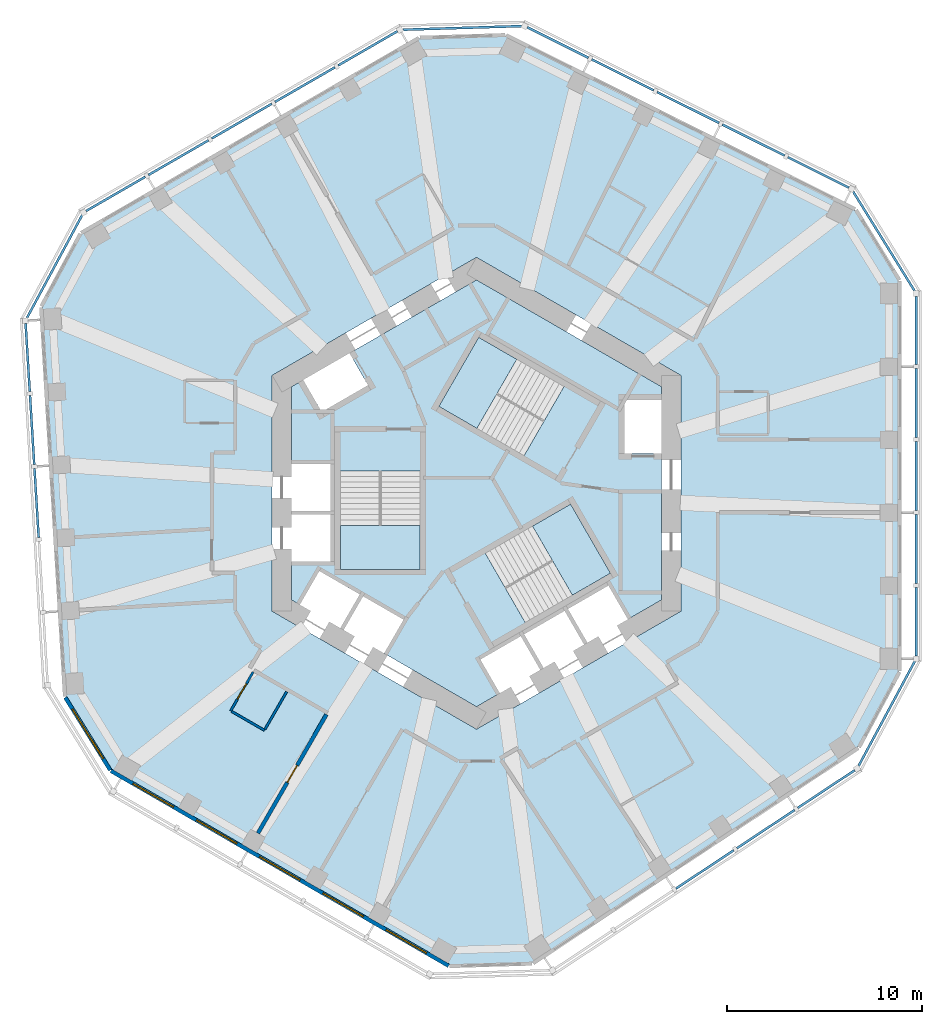
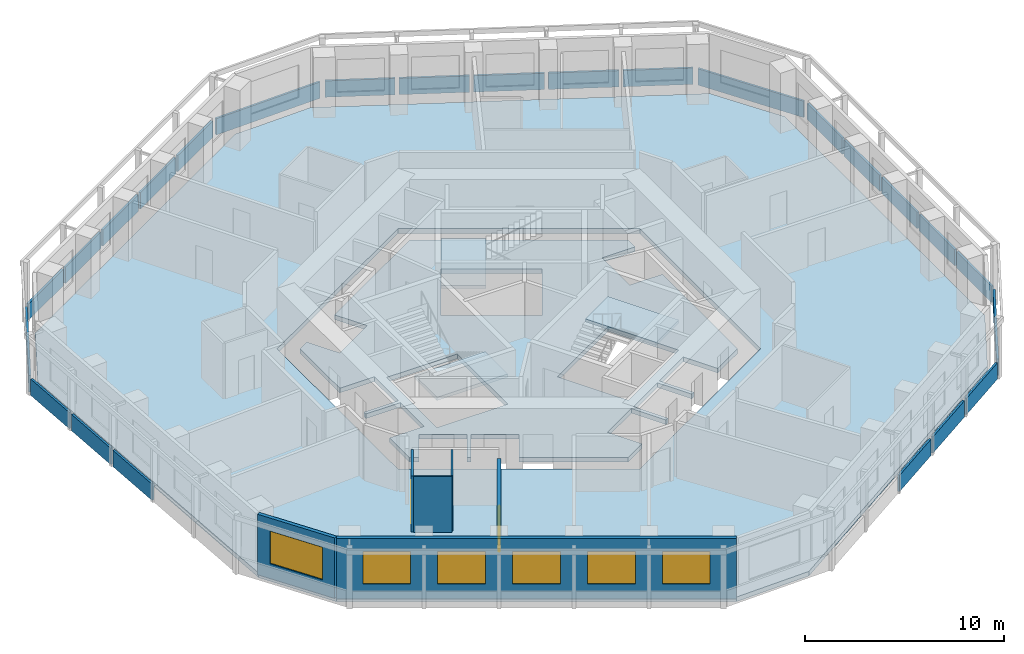
# One storey, part 3 of 11: 25 plates, 6 walls, 6 windows, 5 slabs, 2 doors, 8 openings, 12 elements without a shape of their own.
"""IFC4 building model written with IfcOpenShell, lengths in metres."""

from ifc_helpers import new_model, si_unit, direction, frame, frame_2d, origin, origin_2d, place, context, subcontext, project, spatial, polyline, rectangle, outline, extrude, material, layer, layer_set, type_object, element, fill, aggregate, save


model = new_model("IFC4")

# Units and contexts
model_context = context("Model", 3, precision=1e-05, world=origin(), true_north=direction((0.0, 1.0)))
body_context = subcontext(model_context, "Body", "Model", "MODEL_VIEW")
ifc_project = project(units=[si_unit("LENGTHUNIT", "METRE"), si_unit("AREAUNIT", "SQUARE_METRE"), si_unit("VOLUMEUNIT", "CUBIC_METRE"), si_unit("PLANEANGLEUNIT", "RADIAN"), si_unit("MASSUNIT", "GRAM", prefix="KILO")], contexts=[model_context])

# Site, building, storey
site_placement = place(None, origin())
site = spatial("IfcSite", under=ifc_project, at=site_placement, CompositionType="ELEMENT")
building_placement = place(site_placement, origin())
building = spatial("IfcBuilding", under=site, at=building_placement, Name="Vanh Sen Convention Tower", CompositionType="ELEMENT")
storey_placement = place(building_placement, frame((0.0, 0.0, 187.300048828125)))
storey = spatial("IfcBuildingStorey", under=building, at=storey_placement, Name="L46", CompositionType="ELEMENT", Elevation=187.300048828125)

# Slabs
ifc_material_1 = material(Name="Concrete C40/50", Category="concrete")
ifc_layer_1 = layer(ifc_material_1, 0.280029296875)
ifc_layer_set_1 = layer_set([ifc_layer_1], Name="Concrete C40/50")
slab_type_1 = type_object("IfcSlabType", Name="Core slab 280", PredefinedType="FLOOR", material=ifc_layer_set_1)
slab_1_placement = place(storey_placement, frame((0.0, 0.0, -0.280029296875)))
element("IfcSlab", 1, at=slab_1_placement, inside=storey, type_object=slab_type_1, Name="Core slab L46", PredefinedType="FLOOR", context=body_context, shape_type="SweptSolid", body=[
    extrude(outline(polyline([(0.0, 10.9697265625), (9.5, 5.48486328125), (9.5, 4.800048828125), (7.60009765625, 4.800048828125), (7.60009765625, 2.050048828125), (9.5, 2.050048828125), (9.5, -5.48486328125), (7.781005859375, -6.477294921875), (6.781005859375, -4.7451171875), (4.70263671875, -5.9453125), (5.70263671875, -7.67724609375), (5.529296875, -7.777099609375), (4.529296875, -6.045166015625), (2.450927734375, -7.2451171875), (3.450927734375, -8.977294921875), (3.27783203125, -9.0771484375), (2.27783203125, -7.34521484375), (0.19921875, -8.545166015625), (1.19921875, -10.277099609375), (0.0, -10.9697265625), (-4.75, -8.227294921875), (-3.75, -6.4951171875), (-5.82861328125, -5.295166015625), (-6.82861328125, -7.027099609375), (-7.001708984375, -6.92724609375), (-6.001708984375, -5.1953125), (-8.080078125, -3.9951171875), (-9.080078125, -5.727294921875), (-9.5, -5.48486328125), (-9.5, -3.5), (-7.5, -3.5), (-7.5, -1.10009765625), (-9.5, -1.10009765625), (-9.5, -0.89990234375), (-7.5, -0.89990234375), (-7.5, 1.5), (-9.5, 1.5), (-9.5, 5.48486328125), (-8.906982421875, 5.8271484375), (-7.956787109375, 4.181884765625), (-5.575439453125, 5.556884765625), (-6.525390625, 7.2021484375), (0.0, 10.9697265625)]), holes=[polyline([(-7.0, 1.1494140625), (-7.0, -3.909912109375), (-2.89990234375, -3.909912109375), (-2.89990234375, 1.1494140625), (-7.0, 1.1494140625)]), polyline([(2.504638671875, -6.63671875), (6.88623046875, -4.107177734375), (4.836181640625, -0.556396484375), (0.45458984375, -3.086181640625), (2.504638671875, -6.63671875)]), polyline([(0.11376953125, 8.01708984375), (-1.936279296875, 4.466552734375), (2.4453125, 1.936767578125), (4.495361328125, 5.487548828125), (0.11376953125, 8.01708984375)])]), origin(), (0.0, 0.0, 1.0), 0.280029296875),
])
ifc_layer_2 = layer(ifc_material_1, 0.280029296875)
ifc_layer_set_2 = layer_set([ifc_layer_2], Name="Concrete C40/50")
slab_type_2 = type_object("IfcSlabType", Name="Floor slab 280 REI 120", PredefinedType="FLOOR", material=ifc_layer_set_2)
slab_2_placement = place(storey_placement, frame((0.0, 0.0, -0.280029296875)))
element("IfcSlab", 2, at=slab_2_placement, inside=storey, type_object=slab_type_2, Name="Floor slab L46 tower", PredefinedType="FLOOR", context=body_context, shape_type="SweptSolid", body=[
    extrude(outline(polyline([(21.699951171875, -9.15087890625), (21.699951171875, 10.91943359375), (19.454833984375, 14.5478515625), (1.492919921875, 23.503173828125), (-2.925048828125, 23.368408203125), (-20.306640625, 13.3330078125), (-22.326171875, 9.574462890625), (-21.100830078125, -10.458740234375), (-18.77490234375, -14.21728515625), (-1.393310546875, -24.25244140625), (2.871337890625, -24.122314453125), (19.60791015625, -13.04443359375), (21.699951171875, -9.15087890625)]), holes=[polyline([(0.0, 12.12451171875), (-10.5, 6.062255859375), (-10.5, -6.062255859375), (0.0, -12.12451171875), (10.5, -6.062255859375), (10.5, 6.062255859375), (0.0, 12.12451171875)])]), origin(), (0.0, 0.0, 1.0), 0.280029296875),
])

# Curtain wall, plates
ifc_material_2 = material(Name="Concrete C50/60", Category="concrete")
curtain_wall_type = type_object("IfcCurtainWallType", Name="Outer skin office zone", PredefinedType="NOTDEFINED", material=ifc_material_2)
curtain_wall_1_placement = place(storey_placement, origin())
curtain_wall_1 = element("IfcCurtainWall", 3, at=curtain_wall_1_placement, inside=storey, type_object=curtain_wall_type, Name="OUTER SKIN E L46", PredefinedType="NOTDEFINED")
ifc_layer_3 = layer(ifc_material_2, 0.1201171875)
ifc_layer_set_3 = layer_set([ifc_layer_3], Name="Concrete C50/60")
plate_type = type_object("IfcPlateType", Name="Outer skin precast screen panel 120", PredefinedType="CURTAIN_PANEL", material=ifc_layer_set_3)
plate_1_placement = place(storey_placement, frame((22.60009765625, -6.59912109375, 0.0), z_axis=(0.0, 0.0, 1.0), x_axis=(0.0, 1.0, 0.0)))
plate_1 = element("IfcPlate", 4, at=plate_1_placement, type_object=plate_type, Name="OUTER SKIN screen panel E-1", PredefinedType="CURTAIN_PANEL", context=body_context, shape_type="SweptSolid", body=[
    extrude(rectangle(XDim=3.504150390625, YDim=0.1201171875, at=origin_2d()), origin(), (0.0, 0.0, 1.0), 1.0),
])
plate_2_placement = place(storey_placement, frame((22.60009765625, -2.869873046875, 0.0), z_axis=(0.0, 0.0, 1.0), x_axis=(0.0, 1.0, 0.0)))
plate_2 = element("IfcPlate", 5, at=plate_2_placement, type_object=plate_type, Name="OUTER SKIN screen panel E-2", PredefinedType="CURTAIN_PANEL", context=body_context, shape_type="SweptSolid", body=[
    extrude(rectangle(XDim=3.55419921875, YDim=0.1201171875, at=origin_2d()), origin(), (0.0, 0.0, 1.0), 1.0),
])
plate_3_placement = place(storey_placement, frame((22.60009765625, 0.88427734375, 0.0), z_axis=(0.0, 0.0, 1.0), x_axis=(0.0, 1.0, 0.0)))
plate_3 = element("IfcPlate", 6, at=plate_3_placement, type_object=plate_type, Name="OUTER SKIN screen panel E-3", PredefinedType="CURTAIN_PANEL", context=body_context, shape_type="SweptSolid", body=[
    extrude(rectangle(XDim=3.55419921875, YDim=0.1201171875, at=origin_2d()), origin(), (0.0, 0.0, 1.0), 1.0),
])
plate_4_placement = place(storey_placement, frame((22.60009765625, 4.63818359375, 0.0), z_axis=(0.0, 0.0, 1.0), x_axis=(0.0, 1.0, 0.0)))
plate_4 = element("IfcPlate", 7, at=plate_4_placement, type_object=plate_type, Name="OUTER SKIN screen panel E-4", PredefinedType="CURTAIN_PANEL", context=body_context, shape_type="SweptSolid", body=[
    extrude(rectangle(XDim=3.55419921875, YDim=0.1201171875, at=origin_2d()), origin(), (0.0, 0.0, 1.0), 1.0),
])
plate_5_placement = place(storey_placement, frame((22.60009765625, 8.367431640625, 0.0), z_axis=(0.0, 0.0, 1.0), x_axis=(0.0, 1.0, 0.0)))
plate_5 = element("IfcPlate", 8, at=plate_5_placement, type_object=plate_type, Name="OUTER SKIN screen panel E-5", PredefinedType="CURTAIN_PANEL", context=body_context, shape_type="SweptSolid", body=[
    extrude(rectangle(XDim=3.504150390625, YDim=0.1201171875, at=origin_2d()), origin(), (0.0, 0.0, 1.0), 1.0),
])
aggregate(curtain_wall_1, [plate_1, plate_2, plate_3, plate_4, plate_5])

# Curtain wall, plate
curtain_wall_2_placement = place(storey_placement, origin())
curtain_wall_2 = element("IfcCurtainWall", 9, at=curtain_wall_2_placement, inside=storey, type_object=curtain_wall_type, Name="OUTER SKIN CH1 L46", PredefinedType="NOTDEFINED")
plate_6_placement = place(storey_placement, frame((20.937255859375, 12.956298828125, 0.0), z_axis=(0.0, 0.0, 1.0), x_axis=(-0.5262035346, 0.850358653848, 0.0)))
plate_6 = element("IfcPlate", 10, at=plate_6_placement, type_object=plate_type, Name="OUTER SKIN screen panel CH1-1", PredefinedType="CURTAIN_PANEL", context=body_context, shape_type="SweptSolid", body=[
    extrude(rectangle(XDim=6.01953125, YDim=0.1201171875, at=origin_2d()), origin(), (0.0, 0.0, 1.0), 1.0),
])
aggregate(curtain_wall_2, [plate_6])

# Curtain wall, plates
curtain_wall_3_placement = place(storey_placement, origin())
curtain_wall_3 = element("IfcCurtainWall", 11, at=curtain_wall_3_placement, inside=storey, type_object=curtain_wall_type, Name="OUTER SKIN NE L46", PredefinedType="NOTDEFINED")
plate_7_placement = place(storey_placement, frame((17.572509765625, 16.491943359375, 0.0), z_axis=(0.0, 0.0, 1.0), x_axis=(-0.894943706551, 0.446179069551, 0.0)))
plate_7 = element("IfcPlate", 12, at=plate_7_placement, type_object=plate_type, Name="OUTER SKIN screen panel NE-1", PredefinedType="CURTAIN_PANEL", context=body_context, shape_type="SweptSolid", body=[
    extrude(rectangle(XDim=3.504150390625, YDim=0.1201171875, at=origin_2d()), origin(), (0.0, 0.0, 1.0), 1.0),
])
plate_8_placement = place(storey_placement, frame((14.235107421875, 18.156005859375, 0.0), z_axis=(0.0, 0.0, 1.0), x_axis=(-0.894932804072, 0.446200937017, 0.0)))
plate_8 = element("IfcPlate", 13, at=plate_8_placement, type_object=plate_type, Name="OUTER SKIN screen panel NE-2", PredefinedType="CURTAIN_PANEL", context=body_context, shape_type="SweptSolid", body=[
    extrude(rectangle(XDim=3.55419921875, YDim=0.1201171875, at=origin_2d()), origin(), (0.0, 0.0, 1.0), 1.0),
])
plate_9_placement = place(storey_placement, frame((10.87548828125, 19.8310546875, 0.0), z_axis=(0.0, 0.0, 1.0), x_axis=(-0.894932804072, 0.446200937017, 0.0)))
plate_9 = element("IfcPlate", 14, at=plate_9_placement, type_object=plate_type, Name="OUTER SKIN screen panel NE-3", PredefinedType="CURTAIN_PANEL", context=body_context, shape_type="SweptSolid", body=[
    extrude(rectangle(XDim=3.55419921875, YDim=0.1201171875, at=origin_2d()), origin(), (0.0, 0.0, 1.0), 1.0),
])
plate_10_placement = place(storey_placement, frame((7.515625, 21.506103515625, 0.0), z_axis=(0.0, 0.0, 1.0), x_axis=(-0.894932804072, 0.446200937017, 0.0)))
plate_10 = element("IfcPlate", 15, at=plate_10_placement, type_object=plate_type, Name="OUTER SKIN screen panel NE-4", PredefinedType="CURTAIN_PANEL", context=body_context, shape_type="SweptSolid", body=[
    extrude(rectangle(XDim=3.55419921875, YDim=0.1201171875, at=origin_2d()), origin(), (0.0, 0.0, 1.0), 1.0),
])
plate_11_placement = place(storey_placement, frame((4.178466796875, 23.169921875, 0.0), z_axis=(0.0, 0.0, 1.0), x_axis=(-0.894943706551, 0.446179069551, 0.0)))
plate_11 = element("IfcPlate", 16, at=plate_11_placement, type_object=plate_type, Name="OUTER SKIN screen panel NE-5", PredefinedType="CURTAIN_PANEL", context=body_context, shape_type="SweptSolid", body=[
    extrude(rectangle(XDim=3.504150390625, YDim=0.1201171875, at=origin_2d()), origin(), (0.0, 0.0, 1.0), 1.0),
])
aggregate(curtain_wall_3, [plate_7, plate_8, plate_9, plate_10, plate_11])

# Curtain wall, plate
curtain_wall_4_placement = place(storey_placement, origin())
curtain_wall_4 = element("IfcCurtainWall", 17, at=curtain_wall_4_placement, inside=storey, type_object=curtain_wall_type, Name="OUTER SKIN CH2 L46", PredefinedType="NOTDEFINED")
plate_12_placement = place(storey_placement, frame((-0.73095703125, 23.920654296875, 0.0), z_axis=(0.0, 0.0, 1.0), x_axis=(-0.999533590837, -0.03053851321, 0.0)))
plate_12 = element("IfcPlate", 18, at=plate_12_placement, type_object=plate_type, Name="OUTER SKIN screen panel CH2-1", PredefinedType="CURTAIN_PANEL", context=body_context, shape_type="SweptSolid", body=[
    extrude(rectangle(XDim=6.1171875, YDim=0.1201171875, at=origin_2d()), origin(), (0.0, 0.0, 1.0), 1.0),
])
aggregate(curtain_wall_4, [plate_12])

# Curtain wall, plates
curtain_wall_5_placement = place(storey_placement, origin())
curtain_wall_5 = element("IfcCurtainWall", 19, at=curtain_wall_5_placement, inside=storey, type_object=curtain_wall_type, Name="OUTER SKIN NW L46", PredefinedType="NOTDEFINED")
plate_13_placement = place(storey_placement, frame((-5.585205078125, 22.87158203125, 0.0), z_axis=(0.0, 0.0, 1.0), x_axis=(-0.866035002936, -0.499983373414, 0.0)))
plate_13 = element("IfcPlate", 20, at=plate_13_placement, type_object=plate_type, Name="OUTER SKIN screen panel NW-1", PredefinedType="CURTAIN_PANEL", context=body_context, shape_type="SweptSolid", body=[
    extrude(rectangle(XDim=3.504150390625, YDim=0.1201171875, at=origin_2d()), origin(), (0.0, 0.0, 1.0), 1.0),
])
plate_14_placement = place(storey_placement, frame((-8.814697265625, 21.007080078125, 0.0), z_axis=(0.0, 0.0, 1.0), x_axis=(-0.866016677006, -0.500015114919, 0.0)))
plate_14 = element("IfcPlate", 21, at=plate_14_placement, type_object=plate_type, Name="OUTER SKIN screen panel NW-2", PredefinedType="CURTAIN_PANEL", context=body_context, shape_type="SweptSolid", body=[
    extrude(rectangle(XDim=3.55419921875, YDim=0.1201171875, at=origin_2d()), origin(), (0.0, 0.0, 1.0), 1.0),
])
plate_15_placement = place(storey_placement, frame((-12.06591796875, 19.1298828125, 0.0), z_axis=(0.0, 0.0, 1.0), x_axis=(-0.866035002936, -0.499983373414, 0.0)))
plate_15 = element("IfcPlate", 22, at=plate_15_placement, type_object=plate_type, Name="OUTER SKIN screen panel NW-3", PredefinedType="CURTAIN_PANEL", context=body_context, shape_type="SweptSolid", body=[
    extrude(rectangle(XDim=3.55419921875, YDim=0.1201171875, at=origin_2d()), origin(), (0.0, 0.0, 1.0), 1.0),
])
plate_16_placement = place(storey_placement, frame((-15.31689453125, 17.2529296875, 0.0), z_axis=(0.0, 0.0, 1.0), x_axis=(-0.866016677006, -0.500015114919, 0.0)))
plate_16 = element("IfcPlate", 23, at=plate_16_placement, type_object=plate_type, Name="OUTER SKIN screen panel NW-4", PredefinedType="CURTAIN_PANEL", context=body_context, shape_type="SweptSolid", body=[
    extrude(rectangle(XDim=3.55419921875, YDim=0.1201171875, at=origin_2d()), origin(), (0.0, 0.0, 1.0), 1.0),
])
plate_17_placement = place(storey_placement, frame((-18.54638671875, 15.388427734375, 0.0), z_axis=(0.0, 0.0, 1.0), x_axis=(-0.866035002936, -0.499983373414, 0.0)))
plate_17 = element("IfcPlate", 24, at=plate_17_placement, type_object=plate_type, Name="OUTER SKIN screen panel NW-5", PredefinedType="CURTAIN_PANEL", context=body_context, shape_type="SweptSolid", body=[
    extrude(rectangle(XDim=3.504150390625, YDim=0.1201171875, at=origin_2d()), origin(), (0.0, 0.0, 1.0), 1.0),
])
aggregate(curtain_wall_5, [plate_13, plate_14, plate_15, plate_16, plate_17])

# Curtain wall, plate
curtain_wall_6_placement = place(storey_placement, origin())
curtain_wall_6 = element("IfcCurtainWall", 25, at=curtain_wall_6_placement, inside=storey, type_object=curtain_wall_type, Name="OUTER SKIN CH3 L46", PredefinedType="NOTDEFINED")
plate_18_placement = place(storey_placement, frame((-21.689208984375, 11.654052734375, 0.0), z_axis=(0.0, 0.0, 1.0), x_axis=(-0.47331812974, -0.880891564303, 0.0)))
plate_18 = element("IfcPlate", 26, at=plate_18_placement, type_object=plate_type, Name="OUTER SKIN screen panel CH3-1", PredefinedType="CURTAIN_PANEL", context=body_context, shape_type="SweptSolid", body=[
    extrude(rectangle(XDim=6.019287109375, YDim=0.1201171875, at=origin_2d()), origin(), (0.0, 0.0, 1.0), 1.0),
])
aggregate(curtain_wall_6, [plate_18])

# Curtain wall, plates
curtain_wall_7_placement = place(storey_placement, origin())
curtain_wall_7 = element("IfcCurtainWall", 27, at=curtain_wall_7_placement, inside=storey, type_object=curtain_wall_type, Name="OUTER SKIN W L46", PredefinedType="NOTDEFINED")
plate_19_placement = place(storey_placement, frame((-23.068603515625, 6.97216796875, 0.0), z_axis=(0.0, 0.0, 1.0), x_axis=(0.061053765756, -0.998134478759, 0.0)))
plate_19 = element("IfcPlate", 28, at=plate_19_placement, type_object=plate_type, Name="OUTER SKIN screen panel W-1", PredefinedType="CURTAIN_PANEL", context=body_context, shape_type="SweptSolid", body=[
    extrude(rectangle(XDim=3.504150390625, YDim=0.1201171875, at=origin_2d()), origin(), (0.0, 0.0, 1.0), 1.0),
])
plate_20_placement = place(storey_placement, frame((-22.841064453125, 3.25, 0.0), z_axis=(0.0, 0.0, 1.0), x_axis=(0.061052023682, -0.998134585316, 0.0)))
plate_20 = element("IfcPlate", 29, at=plate_20_placement, type_object=plate_type, Name="OUTER SKIN screen panel W-2", PredefinedType="CURTAIN_PANEL", context=body_context, shape_type="SweptSolid", body=[
    extrude(rectangle(XDim=3.55419921875, YDim=0.1201171875, at=origin_2d()), origin(), (0.0, 0.0, 1.0), 1.0),
])
plate_21_placement = place(storey_placement, frame((-22.61181640625, -0.4970703125, 0.0), z_axis=(0.0, 0.0, 1.0), x_axis=(0.061053765756, -0.998134478759, 0.0)))
plate_21 = element("IfcPlate", 30, at=plate_21_placement, type_object=plate_type, Name="OUTER SKIN screen panel W-3", PredefinedType="CURTAIN_PANEL", context=body_context, shape_type="SweptSolid", body=[
    extrude(rectangle(XDim=3.55419921875, YDim=0.1201171875, at=origin_2d()), origin(), (0.0, 0.0, 1.0), 1.0),
])
aggregate(curtain_wall_7, [plate_19, plate_20, plate_21])

curtain_wall_8_placement = place(storey_placement, origin())
curtain_wall_8 = element("IfcCurtainWall", 31, at=curtain_wall_8_placement, inside=storey, type_object=curtain_wall_type, Name="OUTER SKIN SE L46", PredefinedType="NOTDEFINED")
plate_22_placement = place(storey_placement, frame((11.736328125, -19.333984375, 0.0), z_axis=(0.0, 0.0, 1.0), x_axis=(0.833877152158, 0.551950083892, 0.0)))
plate_22 = element("IfcPlate", 32, at=plate_22_placement, type_object=plate_type, Name="OUTER SKIN screen panel SE-3", PredefinedType="CURTAIN_PANEL", context=body_context, shape_type="SweptSolid", body=[
    extrude(rectangle(XDim=3.55419921875, YDim=0.1201171875, at=origin_2d()), origin(), (0.0, 0.0, 1.0), 1.0),
])
plate_23_placement = place(storey_placement, frame((14.866943359375, -17.26171875, 0.0), z_axis=(0.0, 0.0, 1.0), x_axis=(0.833889675294, 0.551931163677, 0.0)))
plate_23 = element("IfcPlate", 33, at=plate_23_placement, type_object=plate_type, Name="OUTER SKIN screen panel SE-4", PredefinedType="CURTAIN_PANEL", context=body_context, shape_type="SweptSolid", body=[
    extrude(rectangle(XDim=3.55419921875, YDim=0.1201171875, at=origin_2d()), origin(), (0.0, 0.0, 1.0), 1.0),
])
plate_24_placement = place(storey_placement, frame((17.9765625, -15.20361328125, 0.0), z_axis=(0.0, 0.0, 1.0), x_axis=(0.833889675294, 0.551931163677, 0.0)))
plate_24 = element("IfcPlate", 34, at=plate_24_placement, type_object=plate_type, Name="OUTER SKIN screen panel SE-5", PredefinedType="CURTAIN_PANEL", context=body_context, shape_type="SweptSolid", body=[
    extrude(rectangle(XDim=3.504150390625, YDim=0.1201171875, at=origin_2d()), origin(), (0.0, 0.0, 1.0), 1.0),
])
aggregate(curtain_wall_8, [plate_22, plate_23, plate_24])

# Curtain wall, plate
curtain_wall_9_placement = place(storey_placement, origin())
curtain_wall_9 = element("IfcCurtainWall", 35, at=curtain_wall_9_placement, inside=storey, type_object=curtain_wall_type, Name="OUTER SKIN CH6 L46", PredefinedType="NOTDEFINED")
plate_25_placement = place(storey_placement, frame((21.081298828125, -11.327392578125, 0.0), z_axis=(0.0, 0.0, 1.0), x_axis=(0.473321204628, 0.880889912105, 0.0)))
plate_25 = element("IfcPlate", 36, at=plate_25_placement, type_object=plate_type, Name="OUTER SKIN screen panel CH6-1", PredefinedType="CURTAIN_PANEL", context=body_context, shape_type="SweptSolid", body=[
    extrude(rectangle(XDim=6.1171875, YDim=0.1201171875, at=origin_2d()), origin(), (0.0, 0.0, 1.0), 1.0),
])
aggregate(curtain_wall_9, [plate_25])

# Stair, slab
ifc_material_3 = material(Name="Concrete C50/60", Category="concrete")
stair_type_1 = type_object("IfcStairType", Name="Exit stair ST1 22 risers at 168.2", PredefinedType="HALF_TURN_STAIR", material=ifc_material_3)
stair_1_placement = place(storey_placement, origin())
stair_1 = element("IfcStair", 37, at=stair_1_placement, inside=storey, type_object=stair_type_1, Name="Exit stair ST1 L46", PredefinedType="HALF_TURN_STAIR")
ifc_layer_4 = layer(ifc_material_1, 0.199951171875)
ifc_layer_set_4 = layer_set([ifc_layer_4], Name="Concrete C40/50")
slab_type_3 = type_object("IfcSlabType", Name="Stair landing 200", PredefinedType="LANDING", material=ifc_layer_set_4)
slab_3_placement = place(storey_placement, frame((0.0, 0.0, 1.64990234375)))
slab_3 = element("IfcSlab", 38, at=slab_3_placement, type_object=slab_type_3, Name="ST1 landing 1", PredefinedType="LANDING", context=body_context, shape_type="SweptSolid", body=[
    extrude(outline(polyline([(2.07177734375, 6.88671875), (0.11376953125, 8.01708984375), (-1.936279296875, 4.466552734375), (0.021728515625, 3.336181640625), (2.07177734375, 6.88671875)])), origin(), (0.0, 0.0, 1.0), 0.199951171875),
])
aggregate(stair_1, [slab_3])

stair_type_2 = type_object("IfcStairType", Name="Exit stair ST2 22 risers at 168.2", PredefinedType="HALF_TURN_STAIR", material=ifc_material_3)
stair_2_placement = place(storey_placement, origin())
stair_2 = element("IfcStair", 39, at=stair_2_placement, inside=storey, type_object=stair_type_2, Name="Exit stair ST2 L46", PredefinedType="HALF_TURN_STAIR")
slab_4_placement = place(storey_placement, frame((0.0, 0.0, 1.64990234375)))
slab_4 = element("IfcSlab", 40, at=slab_4_placement, type_object=slab_type_3, Name="ST2 landing 1", PredefinedType="LANDING", context=body_context, shape_type="SweptSolid", body=[
    extrude(outline(polyline([(-7.0, -1.6494140625), (-7.0, -3.909912109375), (-2.89990234375, -3.909912109375), (-2.89990234375, -1.6494140625), (-7.0, -1.6494140625)])), origin(), (0.0, 0.0, 1.0), 0.199951171875),
])
aggregate(stair_2, [slab_4])

stair_type_3 = type_object("IfcStairType", Name="Exit stair ST3 22 risers at 168.2", PredefinedType="HALF_TURN_STAIR", material=ifc_material_3)
stair_3_placement = place(storey_placement, origin())
stair_3 = element("IfcStair", 41, at=stair_3_placement, inside=storey, type_object=stair_type_3, Name="Exit stair ST3 L46", PredefinedType="HALF_TURN_STAIR")
slab_5_placement = place(storey_placement, frame((0.0, 0.0, 1.64990234375)))
slab_5 = element("IfcSlab", 42, at=slab_5_placement, type_object=slab_type_3, Name="ST3 landing 1", PredefinedType="LANDING", context=body_context, shape_type="SweptSolid", body=[
    extrude(outline(polyline([(4.92822265625, -5.237548828125), (6.88623046875, -4.107177734375), (4.836181640625, -0.556396484375), (2.87841796875, -1.686767578125), (4.92822265625, -5.237548828125)])), origin(), (0.0, 0.0, 1.0), 0.199951171875),
])
aggregate(stair_3, [slab_5])

# Wall, opening, door
ifc_material_4 = material(Name="Moisture-resistant gypsum board on steel studs", Category="steel")
ifc_layer_5 = layer(ifc_material_4, 0.1201171875)
ifc_layer_set_5 = layer_set([ifc_layer_5], Name="Moisture-resistant gypsum board on steel studs")
wall_type_1 = type_object("IfcWallType", Name="Bathroom partition 120", PredefinedType="PARTITIONING", material=ifc_layer_set_5)
wall_1_placement = place(storey_placement, frame((-12.634521484375, -11.181884765625, 0.0), z_axis=(0.0, 0.0, 1.0), x_axis=(0.499952165731, 0.866053019151, 0.0)))
wall_1 = element("IfcWall", 43, at=wall_1_placement, inside=storey, type_object=wall_type_1, Name="Bathroom partition 120", PredefinedType="PARTITIONING", context=body_context, shape_type="SweptSolid", body=[
    extrude(rectangle(XDim=2.300048828125, YDim=0.1201171875, at=frame_2d((1.14990234375, 0.0))), origin(), (0.0, 0.0, 1.0), 3.419921875),
])
opening_1_placement = place(wall_1_placement, frame((0.699951171875, 0.0, 0.0)))
opening_1 = element("IfcOpeningElement", 44, at=opening_1_placement, cuts=wall_1, Name="Opening D44113", PredefinedType="OPENING", context=body_context, shape_type="SweptSolid", body=[
    extrude(rectangle(XDim=0.89990234375, YDim=2.10009765625, at=frame_2d((0.449951171875, 1.050048828125))), frame((0.0, 0.070068359375, 0.0), z_axis=(0.0, -1.0, 0.0), x_axis=(1.0, 0.0, 0.0)), (0.0, 0.0, 1.0), 0.14013671875),
])
ifc_material_5 = material(Name="Laminate door in steel frame", Category="steel")
door_type_1 = type_object("IfcDoorType", Name="Room internal door 900", OperationType="SINGLE_SWING_LEFT", PredefinedType="DOOR", material=ifc_material_5)
door_1_placement = place(opening_1_placement, origin())
door_1 = element("IfcDoor", 45, at=door_1_placement, inside=storey, type_object=door_type_1, Name="Internal room door D44113", OperationType="SINGLE_SWING_LEFT", OverallHeight=2.10009765625, OverallWidth=0.89990234375, PredefinedType="DOOR", context=body_context, shape_type="SweptSolid", body=[
    extrude(rectangle(XDim=0.89990234375, YDim=2.10009765625, at=frame_2d((0.449951171875, 1.050048828125))), frame((0.0, 0.02490234375, 0.0), z_axis=(0.0, -1.0, 0.0), x_axis=(1.0, 0.0, 0.0)), (0.0, 0.0, 1.0), 0.050048828125),
])
fill(opening_1, door_1)

# Walls
wall_2_placement = place(storey_placement, frame((-10.902587890625, -12.181884765625, 0.0), z_axis=(0.0, 0.0, 1.0), x_axis=(-0.866011626733, 0.500023861795, 0.0)))
element("IfcWall", 46, at=wall_2_placement, inside=storey, type_object=wall_type_1, Name="Bathroom partition 120", PredefinedType="PARTITIONING", context=body_context, shape_type="SweptSolid", body=[
    extrude(rectangle(XDim=1.93994140625, YDim=0.1201171875, at=frame_2d((0.969970703125, 0.0))), origin(), (0.0, 0.0, 1.0), 3.419921875),
])
wall_3_placement = place(storey_placement, frame((-9.752685546875, -10.18994140625, 0.0), z_axis=(0.0, 0.0, 1.0), x_axis=(-0.49994888933, -0.866054910533, 0.0)))
element("IfcWall", 47, at=wall_3_placement, inside=storey, type_object=wall_type_1, Name="Bathroom partition 120", PredefinedType="PARTITIONING", context=body_context, shape_type="SweptSolid", body=[
    extrude(rectangle(XDim=2.239990234375, YDim=0.1201171875, at=frame_2d((1.1201171875, 0.0))), origin(), (0.0, 0.0, 1.0), 3.419921875),
])

# Wall, opening, door
ifc_material_6 = material(Name="Gypsum board on steel studs with mineral wool", Category="steel")
ifc_layer_6 = layer(ifc_material_6, 0.199951171875)
ifc_layer_set_6 = layer_set([ifc_layer_6], Name="Gypsum board on steel studs with mineral wool")
wall_type_2 = type_object("IfcWallType", Name="Corridor partition wall 200", PredefinedType="PARTITIONING", material=ifc_layer_set_6)
wall_4_placement = place(storey_placement, frame((-11.23486328125, -17.4736328125, 0.0), z_axis=(0.0, 0.0, 1.0), x_axis=(0.500009260695, 0.866020057054, 0.0)))
wall_4 = element("IfcWall", 48, at=wall_4_placement, inside=storey, type_object=wall_type_2, Name="Corridor partition wall 200", PredefinedType="PARTITIONING", context=body_context, shape_type="SweptSolid", body=[
    extrude(rectangle(XDim=7.049072265625, YDim=0.199951171875, at=frame_2d((3.5244140625, 0.0))), origin(), (0.0, 0.0, 1.0), 2.869873046875),
])
opening_2_placement = place(wall_4_placement, frame((3.0244140625, 0.0, 0.0)))
opening_2 = element("IfcOpeningElement", 49, at=opening_2_placement, cuts=wall_4, Name="Opening D44112", PredefinedType="OPENING", context=body_context, shape_type="SweptSolid", body=[
    extrude(rectangle(XDim=1.0, YDim=2.10009765625, at=frame_2d((0.5, 1.050048828125))), frame((0.0, 0.10986328125, 0.0), z_axis=(0.0, -1.0, 0.0), x_axis=(1.0, 0.0, 0.0)), (0.0, 0.0, 1.0), 0.219970703125),
])
ifc_material_7 = material(Name="Glazed fire door in steel frame", Category="steel")
door_type_2 = type_object("IfcDoorType", Name="Tenant entrance door 1000", OperationType="SINGLE_SWING_LEFT", PredefinedType="DOOR", material=ifc_material_7)
door_2_placement = place(opening_2_placement, origin())
door_2 = element("IfcDoor", 50, at=door_2_placement, inside=storey, type_object=door_type_2, Name="Tenant suite entrance door D44112", OperationType="SINGLE_SWING_LEFT", OverallHeight=2.10009765625, OverallWidth=1.0, PredefinedType="DOOR", context=body_context, shape_type="SweptSolid", body=[
    extrude(rectangle(XDim=1.0, YDim=2.10009765625, at=frame_2d((0.5, 1.050048828125))), frame((0.0, 0.02490234375, 0.0), z_axis=(0.0, -1.0, 0.0), x_axis=(1.0, 0.0, 0.0)), (0.0, 0.0, 1.0), 0.050048828125),
])
fill(opening_2, door_2)

# Wall, opening, window
ifc_material_8 = material(Name="Insulated lightweight infill wall")
ifc_layer_7 = layer(ifc_material_8, 0.199951171875)
ifc_layer_set_7 = layer_set([ifc_layer_7], Name="Insulated lightweight infill wall")
wall_type_3 = type_object("IfcWallType", Name="External wall 200", PredefinedType="STANDARD", material=ifc_layer_set_7)
wall_5_placement = place(storey_placement, frame((-21.13671875, -10.49560546875, 0.0), z_axis=(0.0, 0.0, 1.0), x_axis=(0.526178661629, -0.850374044786, 0.0)))
wall_5 = element("IfcWall", 51, at=wall_5_placement, inside=storey, type_object=wall_type_3, Name="External wall CH4 L46", PredefinedType="STANDARD", context=body_context, shape_type="SweptSolid", body=[
    extrude(rectangle(XDim=4.394775390625, YDim=0.199951171875, at=frame_2d((2.197265625, 0.0))), origin(), (0.0, 0.0, 1.0), 3.699951171875),
])
opening_3_placement = place(wall_5_placement, frame((0.697509765625, 0.0, 0.89990234375)))
opening_3 = element("IfcOpeningElement", 52, at=opening_3_placement, cuts=wall_5, Name="Opening WO2-CH41", PredefinedType="OPENING", context=body_context, shape_type="SweptSolid", body=[
    extrude(rectangle(XDim=3.0, YDim=2.0, at=frame_2d((1.5, 1.0))), frame((0.0, 0.10986328125, 0.0), z_axis=(0.0, -1.0, 0.0), x_axis=(1.0, 0.0, 0.0)), (0.0, 0.0, 1.0), 0.219970703125),
])
ifc_material_9 = material(Name="Aluminium frame with clear low-emissivity glass", Category="aluminium")
window_type_1 = type_object("IfcWindowType", Name="Office window 3000 x 2000", PartitioningType="SINGLE_PANEL", PredefinedType="WINDOW", material=ifc_material_9)
window_1_placement = place(opening_3_placement, origin())
window_1 = element("IfcWindow", 53, at=window_1_placement, inside=storey, type_object=window_type_1, Name="Window WO2-CH41", OverallHeight=2.0, OverallWidth=3.0, PartitioningType="SINGLE_PANEL", PredefinedType="WINDOW", context=body_context, shape_type="SweptSolid", body=[
    extrude(rectangle(XDim=3.0, YDim=2.0, at=frame_2d((1.5, 1.0))), frame((0.0, 0.030029296875, 0.0), z_axis=(0.0, -1.0, 0.0), x_axis=(1.0, 0.0, 0.0)), (0.0, 0.0, 1.0), 0.06005859375),
])
fill(opening_3, window_1)

# Wall, openings, windows
wall_6_placement = place(storey_placement, frame((-18.7890625, -14.266845703125, 0.0), z_axis=(0.0, 0.0, 1.0), x_axis=(0.866023315909, -0.500003616288, 0.0)))
wall_6 = element("IfcWall", 54, at=wall_6_placement, inside=storey, type_object=wall_type_3, Name="External wall SW L46", PredefinedType="STANDARD", context=body_context, shape_type="SweptSolid", body=[
    extrude(rectangle(XDim=20.043701171875, YDim=0.199951171875, at=frame_2d((10.02197265625, 0.0))), origin(), (0.0, 0.0, 1.0), 3.699951171875),
])
opening_4_placement = place(wall_6_placement, frame((1.314453125, 0.0, 0.89990234375)))
opening_4 = element("IfcOpeningElement", 55, at=opening_4_placement, cuts=wall_6, Name="Opening WO1-SW1", PredefinedType="OPENING", context=body_context, shape_type="SweptSolid", body=[
    extrude(rectangle(XDim=2.39990234375, YDim=2.0, at=frame_2d((1.199951171875, 1.0))), frame((0.0, 0.10986328125, 0.0), z_axis=(0.0, -1.0, 0.0), x_axis=(1.0, 0.0, 0.0)), (0.0, 0.0, 1.0), 0.219970703125),
])
opening_5_placement = place(wall_6_placement, frame((5.068603515625, 0.0, 0.89990234375)))
opening_5 = element("IfcOpeningElement", 56, at=opening_5_placement, cuts=wall_6, Name="Opening WO1-SW2", PredefinedType="OPENING", context=body_context, shape_type="SweptSolid", body=[
    extrude(rectangle(XDim=2.39990234375, YDim=2.0, at=frame_2d((1.199951171875, 1.0))), frame((0.0, 0.10986328125, 0.0), z_axis=(0.0, -1.0, 0.0), x_axis=(1.0, 0.0, 0.0)), (0.0, 0.0, 1.0), 0.219970703125),
])
opening_6_placement = place(wall_6_placement, frame((8.82275390625, 0.0, 0.89990234375)))
opening_6 = element("IfcOpeningElement", 57, at=opening_6_placement, cuts=wall_6, Name="Opening WO1-SW3", PredefinedType="OPENING", context=body_context, shape_type="SweptSolid", body=[
    extrude(rectangle(XDim=2.39990234375, YDim=2.0, at=frame_2d((1.199951171875, 1.0))), frame((0.0, 0.10986328125, 0.0), z_axis=(0.0, -1.0, 0.0), x_axis=(1.0, 0.0, 0.0)), (0.0, 0.0, 1.0), 0.219970703125),
])
opening_7_placement = place(wall_6_placement, frame((12.576904296875, 0.0, 0.89990234375)))
opening_7 = element("IfcOpeningElement", 58, at=opening_7_placement, cuts=wall_6, Name="Opening WO1-SW4", PredefinedType="OPENING", context=body_context, shape_type="SweptSolid", body=[
    extrude(rectangle(XDim=2.39990234375, YDim=2.0, at=frame_2d((1.199951171875, 1.0))), frame((0.0, 0.10986328125, 0.0), z_axis=(0.0, -1.0, 0.0), x_axis=(1.0, 0.0, 0.0)), (0.0, 0.0, 1.0), 0.219970703125),
])
opening_8_placement = place(wall_6_placement, frame((16.330810546875, 0.0, 0.89990234375)))
opening_8 = element("IfcOpeningElement", 59, at=opening_8_placement, cuts=wall_6, Name="Opening WO1-SW5", PredefinedType="OPENING", context=body_context, shape_type="SweptSolid", body=[
    extrude(rectangle(XDim=2.39990234375, YDim=2.0, at=frame_2d((1.199951171875, 1.0))), frame((0.0, 0.10986328125, 0.0), z_axis=(0.0, -1.0, 0.0), x_axis=(1.0, 0.0, 0.0)), (0.0, 0.0, 1.0), 0.219970703125),
])
window_type_2 = type_object("IfcWindowType", Name="Office window 2400 x 2000", PartitioningType="SINGLE_PANEL", PredefinedType="WINDOW", material=ifc_material_9)
window_2_placement = place(opening_4_placement, origin())
window_2 = element("IfcWindow", 60, at=window_2_placement, inside=storey, type_object=window_type_2, Name="Window WO1-SW1", OverallHeight=2.0, OverallWidth=2.39990234375, PartitioningType="SINGLE_PANEL", PredefinedType="WINDOW", context=body_context, shape_type="SweptSolid", body=[
    extrude(rectangle(XDim=2.39990234375, YDim=2.0, at=frame_2d((1.199951171875, 1.0))), frame((0.0, 0.030029296875, 0.0), z_axis=(0.0, -1.0, 0.0), x_axis=(1.0, 0.0, 0.0)), (0.0, 0.0, 1.0), 0.06005859375),
])
fill(opening_4, window_2)
window_3_placement = place(opening_5_placement, origin())
window_3 = element("IfcWindow", 61, at=window_3_placement, inside=storey, type_object=window_type_2, Name="Window WO1-SW2", OverallHeight=2.0, OverallWidth=2.39990234375, PartitioningType="SINGLE_PANEL", PredefinedType="WINDOW", context=body_context, shape_type="SweptSolid", body=[
    extrude(rectangle(XDim=2.39990234375, YDim=2.0, at=frame_2d((1.199951171875, 1.0))), frame((0.0, 0.030029296875, 0.0), z_axis=(0.0, -1.0, 0.0), x_axis=(1.0, 0.0, 0.0)), (0.0, 0.0, 1.0), 0.06005859375),
])
fill(opening_5, window_3)
window_4_placement = place(opening_6_placement, origin())
window_4 = element("IfcWindow", 62, at=window_4_placement, inside=storey, type_object=window_type_2, Name="Window WO1-SW3", OverallHeight=2.0, OverallWidth=2.39990234375, PartitioningType="SINGLE_PANEL", PredefinedType="WINDOW", context=body_context, shape_type="SweptSolid", body=[
    extrude(rectangle(XDim=2.39990234375, YDim=2.0, at=frame_2d((1.199951171875, 1.0))), frame((0.0, 0.030029296875, 0.0), z_axis=(0.0, -1.0, 0.0), x_axis=(1.0, 0.0, 0.0)), (0.0, 0.0, 1.0), 0.06005859375),
])
fill(opening_6, window_4)
window_5_placement = place(opening_7_placement, origin())
window_5 = element("IfcWindow", 63, at=window_5_placement, inside=storey, type_object=window_type_2, Name="Window WO1-SW4", OverallHeight=2.0, OverallWidth=2.39990234375, PartitioningType="SINGLE_PANEL", PredefinedType="WINDOW", context=body_context, shape_type="SweptSolid", body=[
    extrude(rectangle(XDim=2.39990234375, YDim=2.0, at=frame_2d((1.199951171875, 1.0))), frame((0.0, 0.030029296875, 0.0), z_axis=(0.0, -1.0, 0.0), x_axis=(1.0, 0.0, 0.0)), (0.0, 0.0, 1.0), 0.06005859375),
])
fill(opening_7, window_5)
window_6_placement = place(opening_8_placement, origin())
window_6 = element("IfcWindow", 64, at=window_6_placement, inside=storey, type_object=window_type_2, Name="Window WO1-SW5", OverallHeight=2.0, OverallWidth=2.39990234375, PartitioningType="SINGLE_PANEL", PredefinedType="WINDOW", context=body_context, shape_type="SweptSolid", body=[
    extrude(rectangle(XDim=2.39990234375, YDim=2.0, at=frame_2d((1.199951171875, 1.0))), frame((0.0, 0.030029296875, 0.0), z_axis=(0.0, -1.0, 0.0), x_axis=(1.0, 0.0, 0.0)), (0.0, 0.0, 1.0), 0.06005859375),
])
fill(opening_8, window_6)

save(model, "model.ifc")
